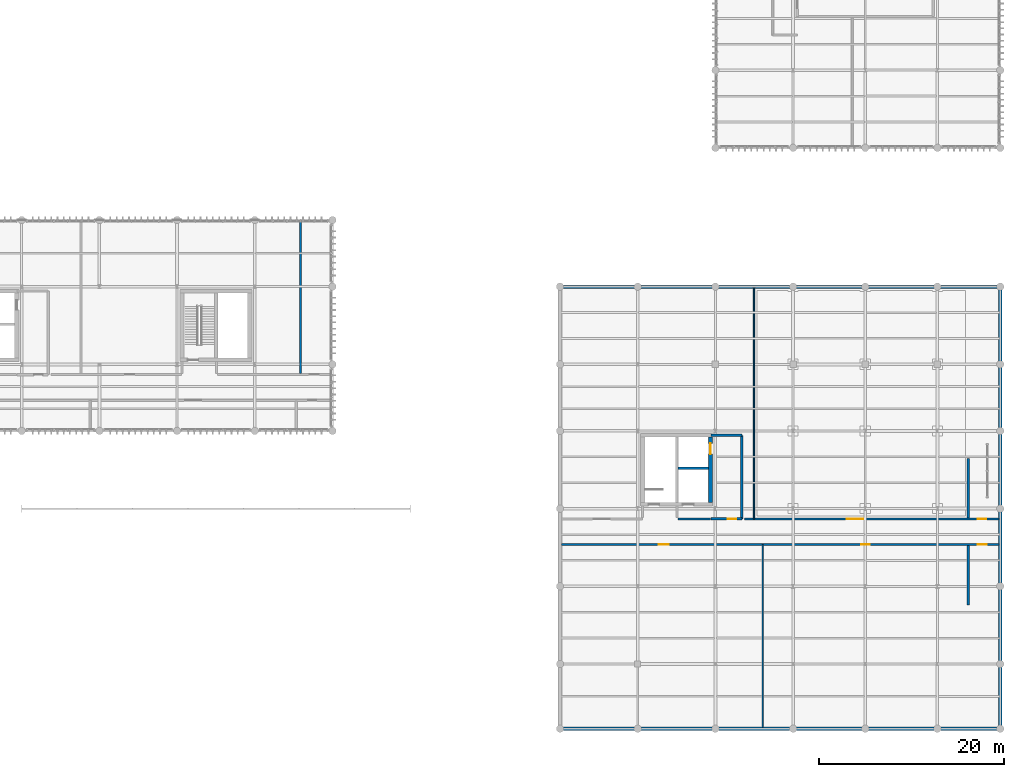
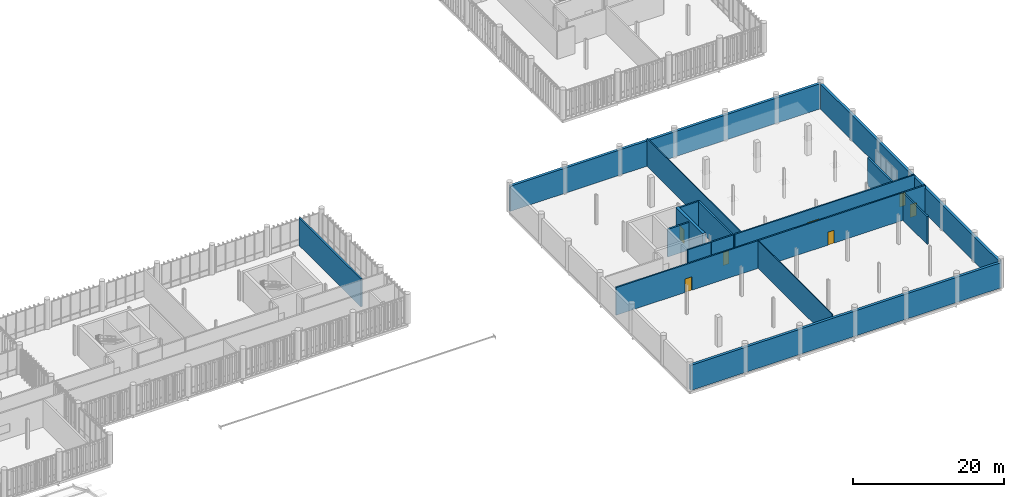
# One storey, part 81 of 94: 16 walls, 7 doors, 7 openings.
"""IFC4 building model written with IfcOpenShell, lengths in metres."""

from ifc_helpers import new_model, si_unit, direction, frame, frame_2d, origin_with_axes, place, context, subcontext, project, spatial, rectangle, extrude, material, layer, layer_set, type_object, element, fill, save


model = new_model("IFC4")

# Units and contexts
model_context = context("Model", 3, precision=1e-05, world=origin_with_axes(), true_north=direction((0.0, 1.0)))
body_context = subcontext(model_context, "Body", "Model", "MODEL_VIEW")
ifc_project = project(units=[si_unit("LENGTHUNIT", "METRE"), si_unit("AREAUNIT", "SQUARE_METRE"), si_unit("VOLUMEUNIT", "CUBIC_METRE"), si_unit("PLANEANGLEUNIT", "RADIAN"), si_unit("MASSUNIT", "GRAM", prefix="KILO"), si_unit("THERMODYNAMICTEMPERATUREUNIT", "KELVIN")], contexts=[model_context])

# Site, building, storey
site_placement = place(None, origin_with_axes())
site = spatial("IfcSite", under=ifc_project, at=site_placement, CompositionType="ELEMENT")
building_placement = place(site_placement, origin_with_axes())
building = spatial("IfcBuilding", under=site, at=building_placement, Name="Montbau Bow Law Courts", CompositionType="ELEMENT")
storey_placement = place(building_placement, frame((0.0, 0.0, 15.6), z_axis=(0.0, 0.0, 1.0), x_axis=(1.0, 0.0, 0.0)))
storey = spatial("IfcBuildingStorey", under=building, at=storey_placement, Name="L03", CompositionType="ELEMENT", Elevation=15.6)

# Wall, opening, door
ifc_material_1 = material(Name="Concrete CSA A23.1 f'c 45 MPa", Category="concrete")
ifc_layer_1 = layer(ifc_material_1, 0.45, Name="Shear Wall", Category="concrete")
ifc_layer_set_1 = layer_set([ifc_layer_1], Name="Concrete CSA A23.1 f'c 45 MPa")
wall_type_1 = type_object("IfcWallType", Name="W-COR-02", PredefinedType="SHEAR", material=ifc_layer_set_1)
wall_1_placement = place(None, frame((138.06, 31.27, 15.6), z_axis=(0.0, 0.0, 1.0), x_axis=(0.0, 1.0, 0.0)))
wall_1 = element("IfcWall", 1, at=wall_1_placement, inside=storey, type_object=wall_type_1, Name="WC-L03-0518:wal_0585", PredefinedType="SHEAR", context=body_context, shape_type="SweptSolid", body=[
    extrude(rectangle(XDim=7.059999999999999, YDim=0.45, at=frame_2d((3.53, 0.0), x_axis=(1.0, 0.0))), origin_with_axes(), (0.0, 0.0, 1.0), 4.8),
])
opening_1_placement = place(None, frame((138.06, 37.07, 15.6), z_axis=(0.0, 0.0, 1.0), x_axis=(0.0, 1.0, 0.0)))
opening_1 = element("IfcOpeningElement", 2, at=opening_1_placement, cuts=wall_1, Name="OP-LD-L03-EL-C2", PredefinedType="OPENING", context=body_context, shape_type="SweptSolid", body=[
    extrude(rectangle(XDim=1.18, YDim=2.24, at=frame_2d((0.0, 1.12), x_axis=(1.0, 0.0))), frame((0.0, 0.235, 0.0), z_axis=(0.0, -1.0, 0.0), x_axis=(1.0, 0.0, 0.0)), (0.0, 0.0, 1.0), 0.47),
])
ifc_material_2 = material(Name="Heavy-Gauge Security Custody Elevator Landing Door", Category="steel")
door_type_1 = type_object("IfcDoorType", Name="LD-CUS-01", OperationType="NOTDEFINED", ParameterTakesPrecedence=False, PredefinedType="DOOR", material=ifc_material_2)
door_1_placement = place(None, frame((138.06, 37.07, 15.6), z_axis=(0.0, 0.0, 1.0), x_axis=(0.0, 1.0, 0.0)))
door_1 = element("IfcDoor", 3, at=door_1_placement, inside=storey, type_object=door_type_1, Name="LD-L03-EL-C2:dor_0233", OperationType="SLIDING_TO_LEFT", OverallHeight=2.24, OverallWidth=1.18, PredefinedType="DOOR", context=body_context, shape_type="SweptSolid", body=[
    extrude(rectangle(XDim=1.18, YDim=2.24, at=frame_2d((0.0, 1.12), x_axis=(1.0, 0.0))), frame((0.0, 0.04, 0.0), z_axis=(0.0, -1.0, 0.0), x_axis=(1.0, 0.0, 0.0)), (0.0, 0.0, 1.0), 0.08),
])
fill(opening_1, door_1)

# Walls
ifc_material_3 = material(Name="Polychrome Glazed Ceramic Rainscreen Insulated Wall", Category="masonry")
ifc_layer_2 = layer(ifc_material_3, 0.4, Name="Solid Wall", Category="masonry")
ifc_layer_set_2 = layer_set([ifc_layer_2], Name="Polychrome Glazed Ceramic Rainscreen Insulated Wall")
wall_type_2 = type_object("IfcWallType", Name="W-EXT-04", PredefinedType="SOLIDWALL", material=ifc_layer_set_2)
for number, where, z_axis, x_axis, name in (
    (4, (121.8, 6.8, 15.6), (0.0, 0.0, 1.0), (1.0, 0.0, 0.0), "WE-L03-024:wal_0041"),
    (5, (169.4, 54.6, 15.6), (0.0, 0.0, 1.0), (-1.0, 0.0, 0.0), "WE-L03-025:wal_0042"),
):
    element("IfcWall", number, at=place(None, frame(where, z_axis=z_axis, x_axis=x_axis)), inside=storey, type_object=wall_type_2, Name=name, PredefinedType="SOLIDWALL", context=body_context, shape_type="SweptSolid", body=[
        extrude(rectangle(XDim=47.60000000000001, YDim=0.4, at=frame_2d((23.8, 0.0), x_axis=(1.0, 0.0))), origin_with_axes(), (0.0, 0.0, 1.0), 4.074),
    ])
wall_2_placement = place(None, frame((169.4, 7.06, 15.6), z_axis=(0.0, 0.0, 1.0), x_axis=(0.0, 1.0, 0.0)))
element("IfcWall", 6, at=wall_2_placement, inside=storey, type_object=wall_type_2, Name="WE-L03-026:wal_0043", PredefinedType="SOLIDWALL", context=body_context, shape_type="SweptSolid", body=[
    extrude(rectangle(XDim=47.28, YDim=0.4, at=frame_2d((23.64, 0.0), x_axis=(1.0, 0.0))), origin_with_axes(), (0.0, 0.0, 1.0), 4.074),
])
ifc_material_4 = material(Name="Double-Stud Acoustic Plumbing Chase Gypsum Assembly", Category="gypsum")
ifc_layer_3 = layer(ifc_material_4, 0.26, Name="Plumbing Wall", Category="gypsum")
ifc_layer_set_3 = layer_set([ifc_layer_3], Name="Double-Stud Acoustic Plumbing Chase Gypsum Assembly")
wall_type_3 = type_object("IfcWallType", Name="W-PLM-01", PredefinedType="PLUMBINGWALL", material=ifc_layer_set_3)
wall_3_placement = place(None, frame((93.74, 45.19, 15.6), z_axis=(0.0, 0.0, 1.0), x_axis=(0.0, 1.0, 0.0)))
element("IfcWall", 7, at=wall_3_placement, inside=storey, type_object=wall_type_3, Name="WD-L03-0794:wal_0861", PredefinedType="PLUMBINGWALL", context=body_context, shape_type="SweptSolid", body=[
    extrude(rectangle(XDim=16.43, YDim=0.26, at=frame_2d((8.215, 0.0), x_axis=(1.0, 0.0))), origin_with_axes(), (0.0, 0.0, 1.0), 4.48),
])
wall_4_placement = place(None, frame((165.94, 29.59, 15.6), z_axis=(0.0, 0.0, 1.0), x_axis=(0.0, 1.0, 0.0)))
element("IfcWall", 8, at=wall_4_placement, inside=storey, type_object=wall_type_3, Name="WD-L03-0810:wal_0877", PredefinedType="PLUMBINGWALL", context=body_context, shape_type="SweptSolid", body=[
    extrude(rectangle(XDim=6.430000000000003, YDim=0.26, at=frame_2d((3.215, 0.0), x_axis=(1.0, 0.0))), origin_with_axes(), (0.0, 0.0, 1.0), 4.48),
])
wall_5_placement = place(None, frame((165.94, 20.18, 15.6), z_axis=(0.0, 0.0, 1.0), x_axis=(0.0, 1.0, 0.0)))
element("IfcWall", 9, at=wall_5_placement, inside=storey, type_object=wall_type_3, Name="WD-L03-0811:wal_0878", PredefinedType="PLUMBINGWALL", context=body_context, shape_type="SweptSolid", body=[
    extrude(rectangle(XDim=6.43, YDim=0.26, at=frame_2d((3.215, 0.0), x_axis=(1.0, 0.0))), origin_with_axes(), (0.0, 0.0, 1.0), 4.48),
])
ifc_material_5 = material(Name="2 h Shaft and Exit-Passage Fire Separation Partition", Category="gypsum")
ifc_layer_4 = layer(ifc_material_5, 0.25, Name="Partition", Category="gypsum")
ifc_layer_set_4 = layer_set([ifc_layer_4], Name="2 h Shaft and Exit-Passage Fire Separation Partition")
wall_type_4 = type_object("IfcWallType", Name="W-PRT-01", PredefinedType="PARTITIONING", material=ifc_layer_set_4)
wall_6_placement = place(None, frame((134.58, 34.949, 15.6), z_axis=(0.0, 0.0, 1.0), x_axis=(1.0, 0.0, 0.0)))
element("IfcWall", 10, at=wall_6_placement, inside=storey, type_object=wall_type_4, Name="WS-L03-0521:wal_0588", PredefinedType="PARTITIONING", context=body_context, shape_type="SweptSolid", body=[
    extrude(rectangle(XDim=3.2549999999999955, YDim=0.25, at=frame_2d((1.6275, 0.0), x_axis=(1.0, 0.0))), origin_with_axes(), (0.0, 0.0, 1.0), 4.48),
])
wall_7_placement = place(None, frame((141.46, 29.49, 15.6), z_axis=(0.0, 0.0, 1.0), x_axis=(0.0, 1.0, 0.0)))
element("IfcWall", 11, at=wall_7_placement, inside=storey, type_object=wall_type_4, Name="WEL-L03-0522:wal_0589", PredefinedType="PARTITIONING", context=body_context, shape_type="SweptSolid", body=[
    extrude(rectangle(XDim=9.030000000000005, YDim=0.25, at=frame_2d((4.515, 0.0), x_axis=(1.0, 0.0))), origin_with_axes(), (0.0, 0.0, 1.0), 4.48),
])
wall_8_placement = place(None, frame((138.1, 38.52, 15.6), z_axis=(0.0, 0.0, 1.0), x_axis=(1.0, 0.0, 0.0)))
element("IfcWall", 12, at=wall_8_placement, inside=storey, type_object=wall_type_4, Name="WEL-L03-0523:wal_0590", PredefinedType="PARTITIONING", context=body_context, shape_type="SweptSolid", body=[
    extrude(rectangle(XDim=3.3600000000000136, YDim=0.25, at=frame_2d((1.68, 0.0), x_axis=(1.0, 0.0))), origin_with_axes(), (0.0, 0.0, 1.0), 4.48),
])

# Wall, opening, door
wall_9_placement = place(None, frame((138.1, 29.49, 15.6), z_axis=(0.0, 0.0, 1.0), x_axis=(1.0, 0.0, 0.0)))
wall_9 = element("IfcWall", 13, at=wall_9_placement, inside=storey, type_object=wall_type_4, Name="WEL-L03-0524:wal_0591", PredefinedType="PARTITIONING", context=body_context, shape_type="SweptSolid", body=[
    extrude(rectangle(XDim=3.3600000000000136, YDim=0.25, at=frame_2d((1.68, 0.0), x_axis=(1.0, 0.0))), origin_with_axes(), (0.0, 0.0, 1.0), 4.48),
])
opening_2_placement = place(None, frame((140.405, 29.49, 15.6), z_axis=(0.0, 0.0, 1.0), x_axis=(1.0, 0.0, 0.0)))
opening_2 = element("IfcOpeningElement", 14, at=opening_2_placement, cuts=wall_9, Name="OP-D-L03-ELB-CORE-CU", PredefinedType="OPENING", context=body_context, shape_type="SweptSolid", body=[
    extrude(rectangle(XDim=0.91, YDim=2.12, at=frame_2d((0.0, 1.06), x_axis=(1.0, 0.0))), frame((0.0, 0.135, 0.0), z_axis=(0.0, -1.0, 0.0), x_axis=(1.0, 0.0, 0.0)), (0.0, 0.0, 1.0), 0.27),
])
ifc_material_6 = material(Name="Public and Judicial Washroom Solid-Core Door", Category="wood")
door_type_2 = type_object("IfcDoorType", Name="D-WC-02", OperationType="NOTDEFINED", ParameterTakesPrecedence=False, PredefinedType="DOOR", material=ifc_material_6)
door_2_placement = place(None, frame((140.405, 29.49, 15.6), z_axis=(0.0, 0.0, 1.0), x_axis=(1.0, 0.0, 0.0)))
door_2 = element("IfcDoor", 15, at=door_2_placement, inside=storey, type_object=door_type_2, Name="D-L03-ELB-CORE-CU:dor_0234", OperationType="SINGLE_SWING_RIGHT", OverallHeight=2.12, OverallWidth=0.91, PredefinedType="DOOR", context=body_context, shape_type="SweptSolid", body=[
    extrude(rectangle(XDim=0.91, YDim=2.12, at=frame_2d((0.0, 1.06), x_axis=(1.0, 0.0))), frame((0.0, 0.04, 0.0), z_axis=(0.0, -1.0, 0.0), x_axis=(1.0, 0.0, 0.0)), (0.0, 0.0, 1.0), 0.08),
])
fill(opening_2, door_2)

# Wall
ifc_material_7 = material(Name="STC-60 High-Acoustic Courtroom Perimeter Partition", Category="gypsum")
ifc_layer_5 = layer(ifc_material_7, 0.22, Name="Partition", Category="gypsum")
ifc_layer_set_5 = layer_set([ifc_layer_5], Name="STC-60 High-Acoustic Courtroom Perimeter Partition")
wall_type_5 = type_object("IfcWallType", Name="W-PRT-02", PredefinedType="PARTITIONING", material=ifc_layer_set_5)
wall_10_placement = place(None, frame((134.55, 29.49, 15.6), z_axis=(0.0, 0.0, 1.0), x_axis=(1.0, 0.0, 0.0)))
element("IfcWall", 16, at=wall_10_placement, inside=storey, type_object=wall_type_5, Name="WP-L03-0807:wal_0874", PredefinedType="PARTITIONING", context=body_context, shape_type="SweptSolid", body=[
    extrude(rectangle(XDim=3.509999999999991, YDim=0.22, at=frame_2d((1.755, 0.0), x_axis=(1.0, 0.0))), origin_with_axes(), (0.0, 0.0, 1.0), 4.48),
])

# Wall, openings, doors
wall_11_placement = place(None, frame((141.755, 29.49, 15.6), z_axis=(0.0, 0.0, 1.0), x_axis=(1.0, 0.0, 0.0)))
wall_11 = element("IfcWall", 17, at=wall_11_placement, inside=storey, type_object=wall_type_5, Name="WP-L03-0808:wal_0875", PredefinedType="PARTITIONING", context=body_context, shape_type="SweptSolid", body=[
    extrude(rectangle(XDim=27.504999999999995, YDim=0.22, at=frame_2d((13.7525, 0.0), x_axis=(1.0, 0.0))), origin_with_axes(), (0.0, 0.0, 1.0), 4.48),
])
opening_3_placement = place(None, frame((153.705, 29.49, 15.6), z_axis=(0.0, 0.0, 1.0), x_axis=(1.0, 0.0, 0.0)))
opening_3 = element("IfcOpeningElement", 18, at=opening_3_placement, cuts=wall_11, Name="OP-D-L03-337", PredefinedType="OPENING", context=body_context, shape_type="SweptSolid", body=[
    extrude(rectangle(XDim=1.78, YDim=2.48, at=frame_2d((0.0, 1.24), x_axis=(1.0, 0.0))), frame((0.0, 0.12, 0.0), z_axis=(0.0, -1.0, 0.0), x_axis=(1.0, 0.0, 0.0)), (0.0, 0.0, 1.0), 0.24),
])
opening_4_placement = place(None, frame((167.438, 29.49, 15.6), z_axis=(0.0, 0.0, 1.0), x_axis=(1.0, 0.0, 0.0)))
opening_4 = element("IfcOpeningElement", 19, at=opening_4_placement, cuts=wall_11, Name="OP-D-L03-338", PredefinedType="OPENING", context=body_context, shape_type="SweptSolid", body=[
    extrude(rectangle(XDim=0.91, YDim=2.12, at=frame_2d((0.0, 1.06), x_axis=(1.0, 0.0))), frame((0.0, 0.12, 0.0), z_axis=(0.0, -1.0, 0.0), x_axis=(1.0, 0.0, 0.0)), (0.0, 0.0, 1.0), 0.24),
])
ifc_material_8 = material(Name="Acoustic White-Oak Appellate Courtroom Double Door", Category="wood")
door_type_3 = type_object("IfcDoorType", Name="D-CRT-03", OperationType="NOTDEFINED", ParameterTakesPrecedence=False, PredefinedType="DOOR", material=ifc_material_8)
door_3_placement = place(None, frame((153.705, 29.49, 15.6), z_axis=(0.0, 0.0, 1.0), x_axis=(-1.0, 0.0, 0.0)))
door_3 = element("IfcDoor", 20, at=door_3_placement, inside=storey, type_object=door_type_3, Name="D-L03-337:dor_0372", OperationType="DOUBLE_DOOR_SINGLE_SWING", OverallHeight=2.48, OverallWidth=1.78, PredefinedType="DOOR", context=body_context, shape_type="SweptSolid", body=[
    extrude(rectangle(XDim=1.78, YDim=2.48, at=frame_2d((0.0, 1.24), x_axis=(1.0, 0.0))), frame((0.0, 0.04, 0.0), z_axis=(0.0, -1.0, 0.0), x_axis=(1.0, 0.0, 0.0)), (0.0, 0.0, 1.0), 0.08),
])
fill(opening_3, door_3)
door_4_placement = place(None, frame((167.438, 29.49, 15.6), z_axis=(0.0, 0.0, 1.0), x_axis=(-1.0, 0.0, 0.0)))
door_4 = element("IfcDoor", 21, at=door_4_placement, inside=storey, type_object=door_type_2, Name="D-L03-338:dor_0373", OperationType="SINGLE_SWING_RIGHT", OverallHeight=2.12, OverallWidth=0.91, PredefinedType="DOOR", context=body_context, shape_type="SweptSolid", body=[
    extrude(rectangle(XDim=0.91, YDim=2.12, at=frame_2d((0.0, 1.06), x_axis=(1.0, 0.0))), frame((0.0, 0.04, 0.0), z_axis=(0.0, -1.0, 0.0), x_axis=(1.0, 0.0, 0.0)), (0.0, 0.0, 1.0), 0.08),
])
fill(opening_4, door_4)

wall_12_placement = place(None, frame((121.94, 26.71, 15.6), z_axis=(0.0, 0.0, 1.0), x_axis=(1.0, 0.0, 0.0)))
wall_12 = element("IfcWall", 22, at=wall_12_placement, inside=storey, type_object=wall_type_5, Name="WP-L03-0809:wal_0876", PredefinedType="PARTITIONING", context=body_context, shape_type="SweptSolid", body=[
    extrude(rectangle(XDim=47.31999999999999, YDim=0.22, at=frame_2d((23.66, 0.0), x_axis=(1.0, 0.0))), origin_with_axes(), (0.0, 0.0, 1.0), 4.48),
])
opening_5_placement = place(None, frame((132.989, 26.71, 15.6), z_axis=(0.0, 0.0, 1.0), x_axis=(1.0, 0.0, 0.0)))
opening_5 = element("IfcOpeningElement", 23, at=opening_5_placement, cuts=wall_12, Name="OP-D-L03-339", PredefinedType="OPENING", context=body_context, shape_type="SweptSolid", body=[
    extrude(rectangle(XDim=1.08, YDim=2.18, at=frame_2d((0.0, 1.09), x_axis=(1.0, 0.0))), frame((0.0, 0.12, 0.0), z_axis=(0.0, -1.0, 0.0), x_axis=(1.0, 0.0, 0.0)), (0.0, 0.0, 1.0), 0.24),
])
opening_6_placement = place(None, frame((154.827, 26.71, 15.6), z_axis=(0.0, 0.0, 1.0), x_axis=(1.0, 0.0, 0.0)))
opening_6 = element("IfcOpeningElement", 24, at=opening_6_placement, cuts=wall_12, Name="OP-D-L03-340", PredefinedType="OPENING", context=body_context, shape_type="SweptSolid", body=[
    extrude(rectangle(XDim=0.93, YDim=2.1, at=frame_2d((0.0, 1.05), x_axis=(1.0, 0.0))), frame((0.0, 0.12, 0.0), z_axis=(0.0, -1.0, 0.0), x_axis=(1.0, 0.0, 0.0)), (0.0, 0.0, 1.0), 0.24),
])
opening_7_placement = place(None, frame((167.438, 26.71, 15.6), z_axis=(0.0, 0.0, 1.0), x_axis=(1.0, 0.0, 0.0)))
opening_7 = element("IfcOpeningElement", 25, at=opening_7_placement, cuts=wall_12, Name="OP-D-L03-341", PredefinedType="OPENING", context=body_context, shape_type="SweptSolid", body=[
    extrude(rectangle(XDim=0.95, YDim=2.1, at=frame_2d((0.0, 1.05), x_axis=(1.0, 0.0))), frame((0.0, 0.12, 0.0), z_axis=(0.0, -1.0, 0.0), x_axis=(1.0, 0.0, 0.0)), (0.0, 0.0, 1.0), 0.24),
])
ifc_material_9 = material(Name="Custody Holding Cell Steel Observation Door", Category="steel")
door_type_4 = type_object("IfcDoorType", Name="D-CEL-01", OperationType="NOTDEFINED", ParameterTakesPrecedence=False, PredefinedType="DOOR", material=ifc_material_9)
door_5_placement = place(None, frame((154.827, 26.71, 15.6), z_axis=(0.0, 0.0, 1.0), x_axis=(1.0, 0.0, 0.0)))
door_5 = element("IfcDoor", 26, at=door_5_placement, inside=storey, type_object=door_type_4, Name="D-L03-340:dor_0375", OperationType="SINGLE_SWING_RIGHT", OverallHeight=2.1, OverallWidth=0.93, PredefinedType="DOOR", context=body_context, shape_type="SweptSolid", body=[
    extrude(rectangle(XDim=0.93, YDim=2.1, at=frame_2d((0.0, 1.05), x_axis=(1.0, 0.0))), frame((0.0, 0.04, 0.0), z_axis=(0.0, -1.0, 0.0), x_axis=(1.0, 0.0, 0.0)), (0.0, 0.0, 1.0), 0.08),
])
fill(opening_6, door_5)
ifc_material_10 = material(Name="Detention-Grade Steel Custody Corridor Interlock Gate", Category="steel")
door_type_5 = type_object("IfcDoorType", Name="D-GAT-02", OperationType="NOTDEFINED", ParameterTakesPrecedence=False, PredefinedType="GATE", material=ifc_material_10)
door_6_placement = place(None, frame((132.989, 26.71, 15.6), z_axis=(0.0, 0.0, 1.0), x_axis=(1.0, 0.0, 0.0)))
door_6 = element("IfcDoor", 27, at=door_6_placement, inside=storey, type_object=door_type_5, Name="D-L03-339:dor_0374", OperationType="SINGLE_SWING_LEFT", OverallHeight=2.18, OverallWidth=1.08, PredefinedType="GATE", context=body_context, shape_type="SweptSolid", body=[
    extrude(rectangle(XDim=1.08, YDim=2.18, at=frame_2d((0.0, 1.09), x_axis=(1.0, 0.0))), frame((0.0, 0.04, 0.0), z_axis=(0.0, -1.0, 0.0), x_axis=(1.0, 0.0, 0.0)), (0.0, 0.0, 1.0), 0.08),
])
fill(opening_5, door_6)
ifc_material_11 = material(Name="CSA B651 Universal Barrier-Free Washroom Door", Category="wood")
door_type_6 = type_object("IfcDoorType", Name="D-WC-01", OperationType="NOTDEFINED", ParameterTakesPrecedence=False, PredefinedType="DOOR", material=ifc_material_11)
door_7_placement = place(None, frame((167.438, 26.71, 15.6), z_axis=(0.0, 0.0, 1.0), x_axis=(1.0, 0.0, 0.0)))
door_7 = element("IfcDoor", 28, at=door_7_placement, inside=storey, type_object=door_type_6, Name="D-L03-341:dor_0376", OperationType="SINGLE_SWING_LEFT", OverallHeight=2.1, OverallWidth=0.95, PredefinedType="DOOR", context=body_context, shape_type="SweptSolid", body=[
    extrude(rectangle(XDim=0.95, YDim=2.1, at=frame_2d((0.0, 1.05), x_axis=(1.0, 0.0))), frame((0.0, 0.04, 0.0), z_axis=(0.0, -1.0, 0.0), x_axis=(1.0, 0.0, 0.0)), (0.0, 0.0, 1.0), 0.08),
])
fill(opening_7, door_7)

# Walls
ifc_material_12 = material(Name="1 h Registry Office Steel-Stud Fire Partition", Category="gypsum")
ifc_layer_6 = layer(ifc_material_12, 0.14, Name="Partition", Category="gypsum")
ifc_layer_set_6 = layer_set([ifc_layer_6], Name="1 h Registry Office Steel-Stud Fire Partition")
wall_type_6 = type_object("IfcWallType", Name="W-PRT-06", PredefinedType="PARTITIONING", material=ifc_layer_set_6)
wall_13_placement = place(None, frame((142.77, 29.49, 15.6), z_axis=(0.0, 0.0, 1.0), x_axis=(0.0, 1.0, 0.0)))
element("IfcWall", 29, at=wall_13_placement, inside=storey, type_object=wall_type_6, Name="WD-L03-0812:wal_0879", PredefinedType="PARTITIONING", context=body_context, shape_type="SweptSolid", body=[
    extrude(rectangle(XDim=24.970000000000002, YDim=0.14, at=frame_2d((12.485, 0.0), x_axis=(1.0, 0.0))), origin_with_axes(), (0.0, 0.0, 1.0), 4.48),
])
ifc_material_13 = material(Name="1 h Interior Demising Acoustic Stud Partition", Category="gypsum")
ifc_layer_7 = layer(ifc_material_13, 0.12, Name="Partition", Category="gypsum")
ifc_layer_set_7 = layer_set([ifc_layer_7], Name="1 h Interior Demising Acoustic Stud Partition")
wall_type_7 = type_object("IfcWallType", Name="W-PRT-07", PredefinedType="PARTITIONING", material=ifc_layer_set_7)
wall_14_placement = place(None, frame((143.714, 6.94, 15.6), z_axis=(0.0, 0.0, 1.0), x_axis=(0.0, 1.0, 0.0)))
element("IfcWall", 30, at=wall_14_placement, inside=storey, type_object=wall_type_7, Name="WD-L03-0813:wal_0880", PredefinedType="PARTITIONING", context=body_context, shape_type="SweptSolid", body=[
    extrude(rectangle(XDim=19.77, YDim=0.12, at=frame_2d((9.885, 0.0), x_axis=(1.0, 0.0))), origin_with_axes(), (0.0, 0.0, 1.0), 4.48),
])

save(model, "model.ifc")
